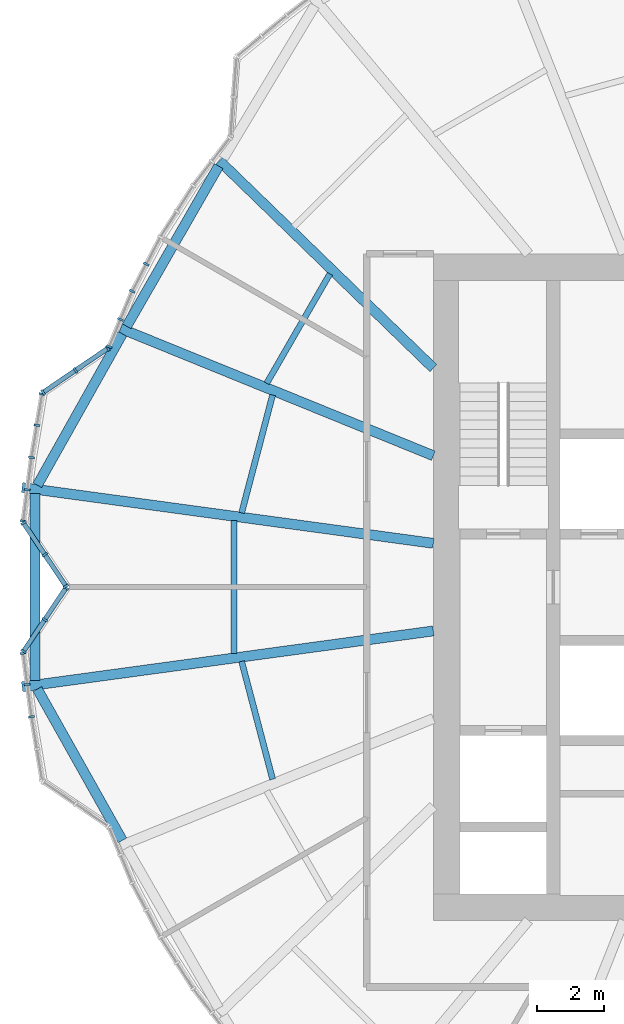
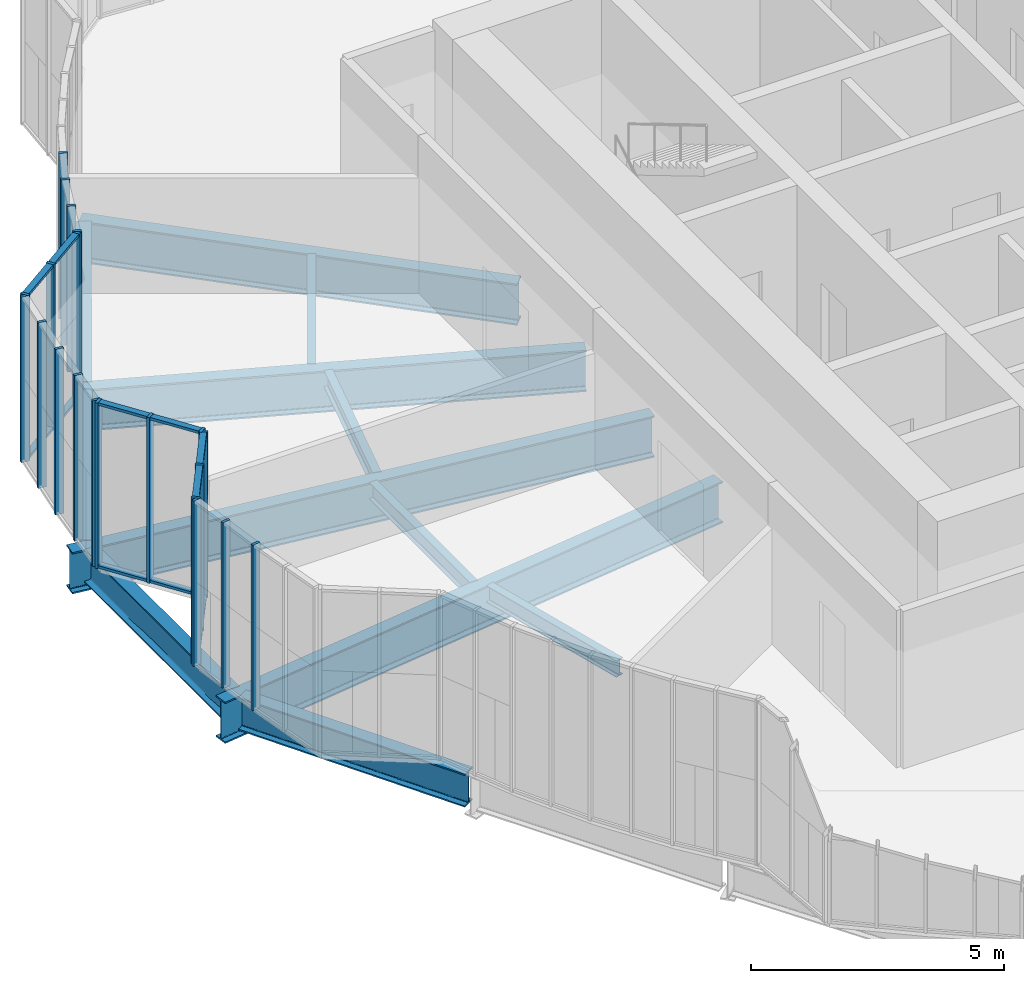
# One storey, part 3 of 22: 33 members, 12 beams, 8 elements without a shape of their own.
"""IFC4 building model written with IfcOpenShell, lengths in metres."""

from ifc_helpers import new_model, si_unit, direction, frame, origin, origin_2d, place, context, subcontext, project, spatial, rectangle, i_section, extrude, material, material_profile, profile_set, type_object, element, aggregate, save


model = new_model("IFC4")

# Units and contexts
model_context = context("Model", 3, precision=1e-05, world=origin(), true_north=direction((0.0, 1.0)))
body_context = subcontext(model_context, "Body", "Model", "MODEL_VIEW")
ifc_project = project(units=[si_unit("LENGTHUNIT", "METRE"), si_unit("AREAUNIT", "SQUARE_METRE"), si_unit("VOLUMEUNIT", "CUBIC_METRE"), si_unit("PLANEANGLEUNIT", "RADIAN"), si_unit("MASSUNIT", "GRAM", prefix="KILO")], contexts=[model_context])

# Site, building, storey
site_placement = place(None, origin())
site = spatial("IfcSite", under=ifc_project, at=site_placement, CompositionType="ELEMENT")
building_placement = place(site_placement, origin())
building = spatial("IfcBuilding", under=site, at=building_placement, Name="Golbaran Civic Tower", CompositionType="ELEMENT")
storey_placement = place(building_placement, frame((0.0, 0.0, 29.0)))
storey = spatial("IfcBuildingStorey", under=building, at=storey_placement, Name="L06", CompositionType="ELEMENT", Elevation=29.0)

# Beams
ifc_material_1 = material(Name="Steel S355", Category="steel")
ifc_material_profile_1 = material_profile(ifc_material_1, i_section(OverallWidth=0.300048828125, OverallDepth=0.800048828125, WebThickness=0.017578125, FlangeThickness=0.032958984375, FilletRadius=0.030029296875, at=origin_2d()), Name="HEB 800")
ifc_profile_set_1 = profile_set([ifc_material_profile_1], Name="Steel S355")
beam_type_1 = type_object("IfcBeamType", Name="EDGE BEAM HEB 800", PredefinedType="BEAM", material=ifc_profile_set_1)
beam_1_placement = place(storey_placement, frame((-16.442138671875, 12.634033203125, -0.60009765625), z_axis=(-0.497888378449, -0.867241121376, 0.0), x_axis=(0.867241121376, -0.497888378449, 0.0)))
element("IfcBeam", 1, at=beam_1_placement, inside=storey, type_object=beam_type_1, Name="Edge beam 141.83 L06", PredefinedType="BEAM", context=body_context, shape_type="SweptSolid", body=[
    extrude(i_section(OverallWidth=0.300048828125, OverallDepth=0.800048828125, WebThickness=0.017578125, FlangeThickness=0.032958984375, FilletRadius=0.030029296875, at=origin_2d()), origin(), (0.0, 0.0, 1.0), 5.54248046875),
])
beam_2_placement = place(storey_placement, frame((-19.331298828125, 7.599365234375, -0.60009765625), z_axis=(-0.489697979016, -0.871892131715, 0.0), x_axis=(0.871892131715, -0.489697979016, 0.0)))
element("IfcBeam", 2, at=beam_2_placement, inside=storey, type_object=beam_type_1, Name="Edge beam 158.17 L06", PredefinedType="BEAM", context=body_context, shape_type="SweptSolid", body=[
    extrude(i_section(OverallWidth=0.300048828125, OverallDepth=0.800048828125, WebThickness=0.017578125, FlangeThickness=0.032958984375, FilletRadius=0.030029296875, at=origin_2d()), origin(), (0.0, 0.0, 1.0), 5.207275390625),
])
beam_3_placement = place(storey_placement, frame((-21.94970703125, 2.805908203125, -0.60009765625), z_axis=(0.0, -1.0, 0.0), x_axis=(1.0, 0.0, 0.0)))
element("IfcBeam", 3, at=beam_3_placement, inside=storey, type_object=beam_type_1, Name="Edge beam 172.37 L06", PredefinedType="BEAM", context=body_context, shape_type="SweptSolid", body=[
    extrude(i_section(OverallWidth=0.300048828125, OverallDepth=0.800048828125, WebThickness=0.017578125, FlangeThickness=0.032958984375, FilletRadius=0.030029296875, at=origin_2d()), origin(), (0.0, 0.0, 1.0), 5.61181640625),
])
beam_4_placement = place(storey_placement, frame((-21.88134765625, -3.05908203125, -0.60009765625), z_axis=(0.489697979016, -0.871892131715, 0.0), x_axis=(0.871892131715, 0.489697979016, 0.0)))
element("IfcBeam", 4, at=beam_4_placement, inside=storey, type_object=beam_type_1, Name="Edge beam 187.63 L06", PredefinedType="BEAM", context=body_context, shape_type="SweptSolid", body=[
    extrude(i_section(OverallWidth=0.300048828125, OverallDepth=0.800048828125, WebThickness=0.017578125, FlangeThickness=0.032958984375, FilletRadius=0.030029296875, at=origin_2d()), origin(), (0.0, 0.0, 1.0), 5.207275390625),
])
ifc_material_profile_2 = material_profile(ifc_material_1, i_section(OverallWidth=0.179931640625, OverallDepth=0.39990234375, WebThickness=0.008544921875, FlangeThickness=0.013427734375, FilletRadius=0.02099609375, at=origin_2d()), Name="IPE 400")
ifc_profile_set_2 = profile_set([ifc_material_profile_2], Name="Steel S355")
beam_type_2 = type_object("IfcBeamType", Name="FLOOR INFILL BEAM IPE 400", PredefinedType="BEAM", material=ifc_profile_set_2)
beam_5_placement = place(storey_placement, frame((-13.1044921875, 9.399169921875, -0.39990234375), z_axis=(-0.499964129797, -0.866046112465, 0.0), x_axis=(0.866046112465, -0.499964129797, 0.0)))
element("IfcBeam", 5, at=beam_5_placement, inside=storey, type_object=beam_type_2, Name="Infill beam 150.00 L06", PredefinedType="BEAM", context=body_context, shape_type="SweptSolid", body=[
    extrude(i_section(OverallWidth=0.179931640625, OverallDepth=0.39990234375, WebThickness=0.008544921875, FlangeThickness=0.013427734375, FilletRadius=0.02099609375, at=origin_2d()), origin(), (0.0, 0.0, 1.0), 3.789306640625),
])
beam_6_placement = place(storey_placement, frame((-14.822265625, 5.7646484375, -0.39990234375), z_axis=(-0.254263347535, -0.967135021649, 0.0), x_axis=(0.967135021649, -0.254263347535, 0.0)))
element("IfcBeam", 6, at=beam_6_placement, inside=storey, type_object=beam_type_2, Name="Infill beam 165.27 L06", PredefinedType="BEAM", context=body_context, shape_type="SweptSolid", body=[
    extrude(i_section(OverallWidth=0.179931640625, OverallDepth=0.39990234375, WebThickness=0.008544921875, FlangeThickness=0.013427734375, FilletRadius=0.02099609375, at=origin_2d()), origin(), (0.0, 0.0, 1.0), 3.658203125),
])
beam_7_placement = place(storey_placement, frame((-15.974853515625, 1.99462890625, -0.39990234375), z_axis=(0.0, -1.0, 0.0), x_axis=(1.0, 0.0, 0.0)))
element("IfcBeam", 7, at=beam_7_placement, inside=storey, type_object=beam_type_2, Name="Infill beam 180.00 L06", PredefinedType="BEAM", context=body_context, shape_type="SweptSolid", body=[
    extrude(i_section(OverallWidth=0.179931640625, OverallDepth=0.39990234375, WebThickness=0.008544921875, FlangeThickness=0.013427734375, FilletRadius=0.02099609375, at=origin_2d()), origin(), (0.0, 0.0, 1.0), 3.9892578125),
])
beam_8_placement = place(storey_placement, frame((-15.75244140625, -2.2265625, -0.39990234375), z_axis=(0.254263347535, -0.967135021649, 0.0), x_axis=(0.967135021649, 0.254263347535, 0.0)))
element("IfcBeam", 8, at=beam_8_placement, inside=storey, type_object=beam_type_2, Name="Infill beam 194.73 L06", PredefinedType="BEAM", context=body_context, shape_type="SweptSolid", body=[
    extrude(i_section(OverallWidth=0.179931640625, OverallDepth=0.39990234375, WebThickness=0.008544921875, FlangeThickness=0.013427734375, FilletRadius=0.02099609375, at=origin_2d()), origin(), (0.0, 0.0, 1.0), 3.658203125),
])

# Curtain wall, members
ifc_material_2 = material(Name="Aluminium and glass", Category="aluminium")
curtain_wall_type = type_object("IfcCurtainWallType", Name="INNER SKIN CURTAIN WALL", PredefinedType="NOTDEFINED", material=ifc_material_2)
curtain_wall_1_placement = place(storey_placement, origin())
curtain_wall_1 = element("IfcCurtainWall", 9, at=curtain_wall_1_placement, inside=storey, type_object=curtain_wall_type, Name="Inner skin L06 facet 31 CW1", ObjectType="INNER SKIN", PredefinedType="USERDEFINED")
ifc_material_3 = material(Name="Aluminium", Category="aluminium")
ifc_material_profile_3 = material_profile(ifc_material_3, rectangle(XDim=0.179931640625, YDim=0.06494140625, at=origin_2d()), Name="INNER SKIN CURTAIN WALL MULLION")
ifc_profile_set_3 = profile_set([ifc_material_profile_3], Name="Aluminium")
member_type_1 = type_object("IfcMemberType", Name="INNER SKIN CURTAIN WALL MULLION", PredefinedType="MULLION", material=ifc_profile_set_3)
member_1_placement = place(storey_placement, frame((-18.614013671875, 9.689697265625, 0.0), z_axis=(0.0, 0.0, 1.0), x_axis=(0.887010832985, -0.461748613607, 0.0)))
member_1 = element("IfcMember", 10, at=member_1_placement, type_object=member_type_1, Name="CW1 mullion 2", PredefinedType="MULLION", context=body_context, shape_type="SweptSolid", body=[
    extrude(rectangle(XDim=0.179931640625, YDim=0.06494140625, at=origin_2d()), origin(), (0.0, 0.0, 1.0), 4.0),
])
member_2_placement = place(storey_placement, frame((-19.037109375, 8.877197265625, 0.0), z_axis=(0.0, 0.0, 1.0), x_axis=(0.906307786985, -0.422618261851, 0.0)))
member_2 = element("IfcMember", 11, at=member_2_placement, type_object=member_type_1, Name="CW1 mullion 3", PredefinedType="MULLION", context=body_context, shape_type="SweptSolid", body=[
    extrude(rectangle(XDim=0.179931640625, YDim=0.06494140625, at=origin_2d()), origin(), (0.0, 0.0, 1.0), 4.0),
])
aggregate(curtain_wall_1, [member_1, member_2])

curtain_wall_2_placement = place(storey_placement, origin())
curtain_wall_2 = element("IfcCurtainWall", 12, at=curtain_wall_2_placement, inside=storey, type_object=curtain_wall_type, Name="Inner skin L06 facet 32 CW1", ObjectType="INNER SKIN", PredefinedType="USERDEFINED")
member_3_placement = place(storey_placement, frame((-19.3876953125, 8.030517578125, 0.0), z_axis=(0.0, 0.0, 1.0), x_axis=(0.923879532471, -0.382683432462, 0.0)))
member_3 = element("IfcMember", 13, at=member_3_placement, type_object=member_type_1, Name="CW1 mullion 2", PredefinedType="MULLION", context=body_context, shape_type="SweptSolid", body=[
    extrude(rectangle(XDim=0.179931640625, YDim=0.06494140625, at=origin_2d()), origin(), (0.0, 0.0, 1.0), 4.0),
])
member_4_placement = place(storey_placement, frame((-19.725830078125, 7.214111328125, 0.0), z_axis=(0.0, 0.0, 1.0), x_axis=(0.923879532471, -0.382683432462, 0.0)))
member_4 = element("IfcMember", 14, at=member_4_placement, type_object=member_type_1, Name="CW1 mullion 3", PredefinedType="MULLION", context=body_context, shape_type="SweptSolid", body=[
    extrude(rectangle(XDim=0.179931640625, YDim=0.06494140625, at=origin_2d()), origin(), (0.0, 0.0, 1.0), 4.0),
])
aggregate(curtain_wall_2, [member_3, member_4])

curtain_wall_3_placement = place(storey_placement, origin())
curtain_wall_3 = element("IfcCurtainWall", 15, at=curtain_wall_3_placement, inside=storey, type_object=curtain_wall_type, Name="Inner skin L06 facet 33 CW1", ObjectType="INNER SKIN", PredefinedType="USERDEFINED")
member_5_placement = place(storey_placement, frame((-19.76513671875, 7.165771484375, 0.0), z_axis=(0.0, 0.0, 1.0), x_axis=(0.562936359185, -0.826500245316, 0.0)))
member_5 = element("IfcMember", 16, at=member_5_placement, type_object=member_type_1, Name="CW1 mullion 1", PredefinedType="MULLION", context=body_context, shape_type="SweptSolid", body=[
    extrude(rectangle(XDim=0.179931640625, YDim=0.06494140625, at=origin_2d()), origin(), (0.0, 0.0, 1.0), 4.0),
])
member_6_placement = place(storey_placement, frame((-20.73681640625, 6.504150390625, 0.0), z_axis=(0.0, 0.0, 1.0), x_axis=(0.562936359185, -0.826500245316, 0.0)))
member_6 = element("IfcMember", 17, at=member_6_placement, type_object=member_type_1, Name="CW1 mullion 2", PredefinedType="MULLION", context=body_context, shape_type="SweptSolid", body=[
    extrude(rectangle(XDim=0.179931640625, YDim=0.06494140625, at=origin_2d()), origin(), (0.0, 0.0, 1.0), 4.0),
])
member_7_placement = place(storey_placement, frame((-21.70849609375, 5.84228515625, 0.0), z_axis=(0.0, 0.0, 1.0), x_axis=(0.562936359185, -0.826500245316, 0.0)))
member_7 = element("IfcMember", 18, at=member_7_placement, type_object=member_type_1, Name="CW1 mullion 3", PredefinedType="MULLION", context=body_context, shape_type="SweptSolid", body=[
    extrude(rectangle(XDim=0.179931640625, YDim=0.06494140625, at=origin_2d()), origin(), (0.0, 0.0, 1.0), 4.0),
])

curtain_wall_4_placement = place(storey_placement, origin())
curtain_wall_4 = element("IfcCurtainWall", 19, at=curtain_wall_4_placement, inside=storey, type_object=curtain_wall_type, Name="Inner skin L06 facet 34 CW1", ObjectType="INNER SKIN", PredefinedType="USERDEFINED")
member_8_placement = place(storey_placement, frame((-21.74072265625, 5.7919921875, 0.0), z_axis=(0.0, 0.0, 1.0), x_axis=(0.986391272574, -0.164414894066, 0.0)))
member_8 = element("IfcMember", 20, at=member_8_placement, type_object=member_type_1, Name="CW1 mullion 1", PredefinedType="MULLION", context=body_context, shape_type="SweptSolid", body=[
    extrude(rectangle(XDim=0.179931640625, YDim=0.06494140625, at=origin_2d()), origin(), (0.0, 0.0, 1.0), 4.0),
])
member_9_placement = place(storey_placement, frame((-21.896484375, 4.856689453125, 0.0), z_axis=(0.0, 0.0, 1.0), x_axis=(0.986391272574, -0.164414894066, 0.0)))
member_9 = element("IfcMember", 21, at=member_9_placement, type_object=member_type_1, Name="CW1 mullion 2", PredefinedType="MULLION", context=body_context, shape_type="SweptSolid", body=[
    extrude(rectangle(XDim=0.179931640625, YDim=0.06494140625, at=origin_2d()), origin(), (0.0, 0.0, 1.0), 4.0),
])
member_10_placement = place(storey_placement, frame((-22.0576171875, 3.889404296875, 0.0), z_axis=(0.0, 0.0, 1.0), x_axis=(0.989063220534, -0.147492188903, 0.0)))
member_10 = element("IfcMember", 22, at=member_10_placement, type_object=member_type_1, Name="CW1 mullion 3", PredefinedType="MULLION", context=body_context, shape_type="SweptSolid", body=[
    extrude(rectangle(XDim=0.179931640625, YDim=0.06494140625, at=origin_2d()), origin(), (0.0, 0.0, 1.0), 4.0),
])
aggregate(curtain_wall_4, [member_8, member_9, member_10])

curtain_wall_5_placement = place(storey_placement, origin())
curtain_wall_5 = element("IfcCurtainWall", 23, at=curtain_wall_5_placement, inside=storey, type_object=curtain_wall_type, Name="Inner skin L06 facet 35 CW1", ObjectType="INNER SKIN", PredefinedType="USERDEFINED")
member_11_placement = place(storey_placement, frame((-22.185302734375, 2.920654296875, 0.0), z_axis=(0.0, 0.0, 1.0), x_axis=(0.991444861365, -0.130526192289, 0.0)))
member_11 = element("IfcMember", 24, at=member_11_placement, type_object=member_type_1, Name="CW1 mullion 2", PredefinedType="MULLION", context=body_context, shape_type="SweptSolid", body=[
    extrude(rectangle(XDim=0.179931640625, YDim=0.06494140625, at=origin_2d()), origin(), (0.0, 0.0, 1.0), 4.0),
])
member_12_placement = place(storey_placement, frame((-22.30859375, 1.984375, 0.0), z_axis=(0.0, 0.0, 1.0), x_axis=(0.991444861365, -0.130526192289, 0.0)))
member_12 = element("IfcMember", 25, at=member_12_placement, type_object=member_type_1, Name="CW1 mullion 3", PredefinedType="MULLION", context=body_context, shape_type="SweptSolid", body=[
    extrude(rectangle(XDim=0.179931640625, YDim=0.06494140625, at=origin_2d()), origin(), (0.0, 0.0, 1.0), 4.0),
])
aggregate(curtain_wall_5, [member_11, member_12])

curtain_wall_6_placement = place(storey_placement, origin())
curtain_wall_6 = element("IfcCurtainWall", 26, at=curtain_wall_6_placement, inside=storey, type_object=curtain_wall_type, Name="Inner skin L06 facet 36 CW1", ObjectType="INNER SKIN", PredefinedType="USERDEFINED")
member_13_placement = place(storey_placement, frame((-22.294677734375, 1.925048828125, 0.0), z_axis=(0.0, 0.0, 1.0), x_axis=(0.830799054257, 0.556572485348, 0.0)))
member_13 = element("IfcMember", 27, at=member_13_placement, type_object=member_type_1, Name="CW1 mullion 1", PredefinedType="MULLION", context=body_context, shape_type="SweptSolid", body=[
    extrude(rectangle(XDim=0.179931640625, YDim=0.06494140625, at=origin_2d()), origin(), (0.0, 0.0, 1.0), 4.0),
])
member_14_placement = place(storey_placement, frame((-21.658935546875, 0.97607421875, 0.0), z_axis=(0.0, 0.0, 1.0), x_axis=(0.830799054257, 0.556572485348, 0.0)))
member_14 = element("IfcMember", 28, at=member_14_placement, type_object=member_type_1, Name="CW1 mullion 2", PredefinedType="MULLION", context=body_context, shape_type="SweptSolid", body=[
    extrude(rectangle(XDim=0.179931640625, YDim=0.06494140625, at=origin_2d()), origin(), (0.0, 0.0, 1.0), 4.0),
])
member_15_placement = place(storey_placement, frame((-21.023193359375, 0.027099609375, 0.0), z_axis=(0.0, 0.0, 1.0), x_axis=(0.830799054257, 0.556572485348, 0.0)))
member_15 = element("IfcMember", 29, at=member_15_placement, type_object=member_type_1, Name="CW1 mullion 3", PredefinedType="MULLION", context=body_context, shape_type="SweptSolid", body=[
    extrude(rectangle(XDim=0.179931640625, YDim=0.06494140625, at=origin_2d()), origin(), (0.0, 0.0, 1.0), 4.0),
])

curtain_wall_7_placement = place(storey_placement, origin())
curtain_wall_7 = element("IfcCurtainWall", 30, at=curtain_wall_7_placement, inside=storey, type_object=curtain_wall_type, Name="Inner skin L06 facet 37 CW1", ObjectType="INNER SKIN", PredefinedType="USERDEFINED")
member_16_placement = place(storey_placement, frame((-21.023193359375, -0.027099609375, 0.0), z_axis=(0.0, 0.0, 1.0), x_axis=(0.830799054257, -0.556572485348, 0.0)))
member_16 = element("IfcMember", 31, at=member_16_placement, type_object=member_type_1, Name="CW1 mullion 1", PredefinedType="MULLION", context=body_context, shape_type="SweptSolid", body=[
    extrude(rectangle(XDim=0.179931640625, YDim=0.06494140625, at=origin_2d()), origin(), (0.0, 0.0, 1.0), 4.0),
])
member_17_placement = place(storey_placement, frame((-21.658935546875, -0.97607421875, 0.0), z_axis=(0.0, 0.0, 1.0), x_axis=(0.830799054257, -0.556572485348, 0.0)))
member_17 = element("IfcMember", 32, at=member_17_placement, type_object=member_type_1, Name="CW1 mullion 2", PredefinedType="MULLION", context=body_context, shape_type="SweptSolid", body=[
    extrude(rectangle(XDim=0.179931640625, YDim=0.06494140625, at=origin_2d()), origin(), (0.0, 0.0, 1.0), 4.0),
])
member_18_placement = place(storey_placement, frame((-22.294677734375, -1.925048828125, 0.0), z_axis=(0.0, 0.0, 1.0), x_axis=(0.830799054257, -0.556572485348, 0.0)))
member_18 = element("IfcMember", 33, at=member_18_placement, type_object=member_type_1, Name="CW1 mullion 3", PredefinedType="MULLION", context=body_context, shape_type="SweptSolid", body=[
    extrude(rectangle(XDim=0.179931640625, YDim=0.06494140625, at=origin_2d()), origin(), (0.0, 0.0, 1.0), 4.0),
])

curtain_wall_8_placement = place(storey_placement, origin())
curtain_wall_8 = element("IfcCurtainWall", 34, at=curtain_wall_8_placement, inside=storey, type_object=curtain_wall_type, Name="Inner skin L06 facet 38 CW1", ObjectType="INNER SKIN", PredefinedType="USERDEFINED")
member_19_placement = place(storey_placement, frame((-22.30859375, -1.984375, 0.0), z_axis=(0.0, 0.0, 1.0), x_axis=(0.991444861365, 0.130526192289, 0.0)))
member_19 = element("IfcMember", 35, at=member_19_placement, type_object=member_type_1, Name="CW1 mullion 1", PredefinedType="MULLION", context=body_context, shape_type="SweptSolid", body=[
    extrude(rectangle(XDim=0.179931640625, YDim=0.06494140625, at=origin_2d()), origin(), (0.0, 0.0, 1.0), 4.0),
])
member_20_placement = place(storey_placement, frame((-22.185302734375, -2.920654296875, 0.0), z_axis=(0.0, 0.0, 1.0), x_axis=(0.991444861365, 0.130526192289, 0.0)))
member_20 = element("IfcMember", 36, at=member_20_placement, type_object=member_type_1, Name="CW1 mullion 2", PredefinedType="MULLION", context=body_context, shape_type="SweptSolid", body=[
    extrude(rectangle(XDim=0.179931640625, YDim=0.06494140625, at=origin_2d()), origin(), (0.0, 0.0, 1.0), 4.0),
])
member_21_placement = place(storey_placement, frame((-22.0576171875, -3.889404296875, 0.0), z_axis=(0.0, 0.0, 1.0), x_axis=(0.989063220534, 0.147492188903, 0.0)))
member_21 = element("IfcMember", 37, at=member_21_placement, type_object=member_type_1, Name="CW1 mullion 3", PredefinedType="MULLION", context=body_context, shape_type="SweptSolid", body=[
    extrude(rectangle(XDim=0.179931640625, YDim=0.06494140625, at=origin_2d()), origin(), (0.0, 0.0, 1.0), 4.0),
])
aggregate(curtain_wall_8, [member_19, member_20, member_21])

# Member
ifc_material_profile_4 = material_profile(ifc_material_3, rectangle(XDim=0.139892578125, YDim=0.06494140625, at=origin_2d()), Name="INNER SKIN CURTAIN WALL TRANSOM")
ifc_profile_set_4 = profile_set([ifc_material_profile_4], Name="Aluminium")
member_type_2 = type_object("IfcMemberType", Name="INNER SKIN CURTAIN WALL TRANSOM", PredefinedType="USERDEFINED", material=ifc_profile_set_4)
member_22_placement = place(storey_placement, frame((-19.7919921875, 7.1474609375, 0.032470703125), z_axis=(-0.826496976354, -0.562941158628, 0.0), x_axis=(0.562941158628, -0.826496976354, 0.0)))
member_22 = element("IfcMember", 38, at=member_22_placement, type_object=member_type_2, Name="CW1 transom 1.1", ObjectType="TRANSOM", PredefinedType="USERDEFINED", context=body_context, shape_type="SweptSolid", body=[
    extrude(rectangle(XDim=0.139892578125, YDim=0.06494140625, at=origin_2d()), origin(), (0.0, 0.0, 1.0), 1.110595703125),
])

member_23_placement = place(storey_placement, frame((-19.7919921875, 7.1474609375, 3.967529296875), z_axis=(-0.826496976354, -0.562941158628, 0.0), x_axis=(0.562941158628, -0.826496976354, 0.0)))
member_23 = element("IfcMember", 39, at=member_23_placement, type_object=member_type_2, Name="CW1 transom 1.2", ObjectType="TRANSOM", PredefinedType="USERDEFINED", context=body_context, shape_type="SweptSolid", body=[
    extrude(rectangle(XDim=0.139892578125, YDim=0.06494140625, at=origin_2d()), origin(), (0.0, 0.0, 1.0), 1.110595703125),
])

member_24_placement = place(storey_placement, frame((-20.763671875, 6.48583984375, 0.032470703125), z_axis=(-0.826496976354, -0.562941158628, 0.0), x_axis=(0.562941158628, -0.826496976354, 0.0)))
member_24 = element("IfcMember", 40, at=member_24_placement, type_object=member_type_2, Name="CW1 transom 2.1", ObjectType="TRANSOM", PredefinedType="USERDEFINED", context=body_context, shape_type="SweptSolid", body=[
    extrude(rectangle(XDim=0.139892578125, YDim=0.06494140625, at=origin_2d()), origin(), (0.0, 0.0, 1.0), 1.110595703125),
])

member_25_placement = place(storey_placement, frame((-20.763671875, 6.48583984375, 3.967529296875), z_axis=(-0.826496976354, -0.562941158628, 0.0), x_axis=(0.562941158628, -0.826496976354, 0.0)))
member_25 = element("IfcMember", 41, at=member_25_placement, type_object=member_type_2, Name="CW1 transom 2.2", ObjectType="TRANSOM", PredefinedType="USERDEFINED", context=body_context, shape_type="SweptSolid", body=[
    extrude(rectangle(XDim=0.139892578125, YDim=0.06494140625, at=origin_2d()), origin(), (0.0, 0.0, 1.0), 1.110595703125),
])

aggregate(curtain_wall_3, [member_5, member_6, member_7, member_22, member_23, member_24, member_25])

member_26_placement = place(storey_placement, frame((-22.276611328125, 1.898193359375, 0.032470703125), z_axis=(0.556581474765, -0.830793031957, 0.0), x_axis=(0.830793031957, 0.556581474765, 0.0)))
member_26 = element("IfcMember", 42, at=member_26_placement, type_object=member_type_2, Name="CW1 transom 1.1", ObjectType="TRANSOM", PredefinedType="USERDEFINED", context=body_context, shape_type="SweptSolid", body=[
    extrude(rectangle(XDim=0.139892578125, YDim=0.06494140625, at=origin_2d()), origin(), (0.0, 0.0, 1.0), 1.077392578125),
])

member_27_placement = place(storey_placement, frame((-22.276611328125, 1.898193359375, 3.967529296875), z_axis=(0.556581474765, -0.830793031957, 0.0), x_axis=(0.830793031957, 0.556581474765, 0.0)))
member_27 = element("IfcMember", 43, at=member_27_placement, type_object=member_type_2, Name="CW1 transom 1.2", ObjectType="TRANSOM", PredefinedType="USERDEFINED", context=body_context, shape_type="SweptSolid", body=[
    extrude(rectangle(XDim=0.139892578125, YDim=0.06494140625, at=origin_2d()), origin(), (0.0, 0.0, 1.0), 1.077392578125),
])

member_28_placement = place(storey_placement, frame((-21.640869140625, 0.948974609375, 0.032470703125), z_axis=(0.556581474765, -0.830793031957, 0.0), x_axis=(0.830793031957, 0.556581474765, 0.0)))
member_28 = element("IfcMember", 44, at=member_28_placement, type_object=member_type_2, Name="CW1 transom 2.1", ObjectType="TRANSOM", PredefinedType="USERDEFINED", context=body_context, shape_type="SweptSolid", body=[
    extrude(rectangle(XDim=0.139892578125, YDim=0.06494140625, at=origin_2d()), origin(), (0.0, 0.0, 1.0), 1.077392578125),
])

member_29_placement = place(storey_placement, frame((-21.640869140625, 0.948974609375, 3.967529296875), z_axis=(0.556581474765, -0.830793031957, 0.0), x_axis=(0.830793031957, 0.556581474765, 0.0)))
member_29 = element("IfcMember", 45, at=member_29_placement, type_object=member_type_2, Name="CW1 transom 2.2", ObjectType="TRANSOM", PredefinedType="USERDEFINED", context=body_context, shape_type="SweptSolid", body=[
    extrude(rectangle(XDim=0.139892578125, YDim=0.06494140625, at=origin_2d()), origin(), (0.0, 0.0, 1.0), 1.077392578125),
])

aggregate(curtain_wall_6, [member_13, member_14, member_15, member_26, member_27, member_28, member_29])

member_30_placement = place(storey_placement, frame((-21.041259765625, -0.053955078125, 0.032470703125), z_axis=(-0.556581474765, -0.830793031957, 0.0), x_axis=(0.830793031957, -0.556581474765, 0.0)))
member_30 = element("IfcMember", 46, at=member_30_placement, type_object=member_type_2, Name="CW1 transom 1.1", ObjectType="TRANSOM", PredefinedType="USERDEFINED", context=body_context, shape_type="SweptSolid", body=[
    extrude(rectangle(XDim=0.139892578125, YDim=0.06494140625, at=origin_2d()), origin(), (0.0, 0.0, 1.0), 1.077392578125),
])

member_31_placement = place(storey_placement, frame((-21.041259765625, -0.053955078125, 3.967529296875), z_axis=(-0.556581474765, -0.830793031957, 0.0), x_axis=(0.830793031957, -0.556581474765, 0.0)))
member_31 = element("IfcMember", 47, at=member_31_placement, type_object=member_type_2, Name="CW1 transom 1.2", ObjectType="TRANSOM", PredefinedType="USERDEFINED", context=body_context, shape_type="SweptSolid", body=[
    extrude(rectangle(XDim=0.139892578125, YDim=0.06494140625, at=origin_2d()), origin(), (0.0, 0.0, 1.0), 1.077392578125),
])

member_32_placement = place(storey_placement, frame((-21.677001953125, -1.003173828125, 0.032470703125), z_axis=(-0.556581474765, -0.830793031957, 0.0), x_axis=(0.830793031957, -0.556581474765, 0.0)))
member_32 = element("IfcMember", 48, at=member_32_placement, type_object=member_type_2, Name="CW1 transom 2.1", ObjectType="TRANSOM", PredefinedType="USERDEFINED", context=body_context, shape_type="SweptSolid", body=[
    extrude(rectangle(XDim=0.139892578125, YDim=0.06494140625, at=origin_2d()), origin(), (0.0, 0.0, 1.0), 1.077392578125),
])

member_33_placement = place(storey_placement, frame((-21.677001953125, -1.003173828125, 3.967529296875), z_axis=(-0.556581474765, -0.830793031957, 0.0), x_axis=(0.830793031957, -0.556581474765, 0.0)))
member_33 = element("IfcMember", 49, at=member_33_placement, type_object=member_type_2, Name="CW1 transom 2.2", ObjectType="TRANSOM", PredefinedType="USERDEFINED", context=body_context, shape_type="SweptSolid", body=[
    extrude(rectangle(XDim=0.139892578125, YDim=0.06494140625, at=origin_2d()), origin(), (0.0, 0.0, 1.0), 1.077392578125),
])

aggregate(curtain_wall_7, [member_16, member_17, member_18, member_30, member_31, member_32, member_33])

# Beams
ifc_material_profile_5 = material_profile(ifc_material_1, i_section(OverallWidth=0.300048828125, OverallDepth=1.0, WebThickness=0.01904296875, FlangeThickness=0.035888671875, FilletRadius=0.030029296875, at=origin_2d()), Name="HEB 1000")
ifc_profile_set_5 = profile_set([ifc_material_profile_5], Name="Steel S355")
beam_type_3 = type_object("IfcBeamType", Name="RADIAL FLOOR BEAM HEB 1000", PredefinedType="BEAM", material=ifc_profile_set_5)
beam_9_placement = place(storey_placement, frame((-10.0, 6.571533203125, -0.7099609375), z_axis=(-0.718092658056, 0.695947508399, 0.0), x_axis=(-0.695947508399, -0.718092658056, 0.0)))
element("IfcBeam", 50, at=beam_9_placement, inside=storey, type_object=beam_type_3, Name="Radial beam 141.83 L06", PredefinedType="BEAM", context=body_context, shape_type="SweptSolid", body=[
    extrude(i_section(OverallWidth=0.300048828125, OverallDepth=1.0, WebThickness=0.01904296875, FlangeThickness=0.035888671875, FilletRadius=0.030029296875, at=origin_2d()), origin(), (0.0, 0.0, 1.0), 8.94091796875),
])
beam_10_placement = place(storey_placement, frame((-10.0, 3.94287109375, -0.7099609375), z_axis=(-0.926253197378, 0.376901863019, 0.0), x_axis=(-0.376901863019, -0.926253197378, 0.0)))
element("IfcBeam", 51, at=beam_10_placement, inside=storey, type_object=beam_type_3, Name="Radial beam 158.17 L06", PredefinedType="BEAM", context=body_context, shape_type="SweptSolid", body=[
    extrude(i_section(OverallWidth=0.300048828125, OverallDepth=1.0, WebThickness=0.01904296875, FlangeThickness=0.035888671875, FilletRadius=0.030029296875, at=origin_2d()), origin(), (0.0, 0.0, 1.0), 10.130859375),
])
for number, where, z_axis, x_axis, name in (
    (52, (-10.0, 1.314208984375, -0.7099609375), (-0.990903879143, 0.134571550857, 0.0), (-0.134571550857, -0.990903879143, 0.0), "Radial beam 172.37 L06"),
    (53, (-10.0, -1.314208984375, -0.7099609375), (-0.990903879143, -0.134571550857, 0.0), (0.134571550857, -0.990903879143, 0.0), "Radial beam 187.63 L06"),
):
    element("IfcBeam", number, at=place(storey_placement, frame(where, z_axis=z_axis, x_axis=x_axis)), inside=storey, type_object=beam_type_3, Name=name, PredefinedType="BEAM", context=body_context, shape_type="SweptSolid", body=[
        extrude(i_section(OverallWidth=0.300048828125, OverallDepth=1.0, WebThickness=0.01904296875, FlangeThickness=0.035888671875, FilletRadius=0.030029296875, at=origin_2d()), origin(), (0.0, 0.0, 1.0), 12.450927734375),
    ])

save(model, "model.ifc")
